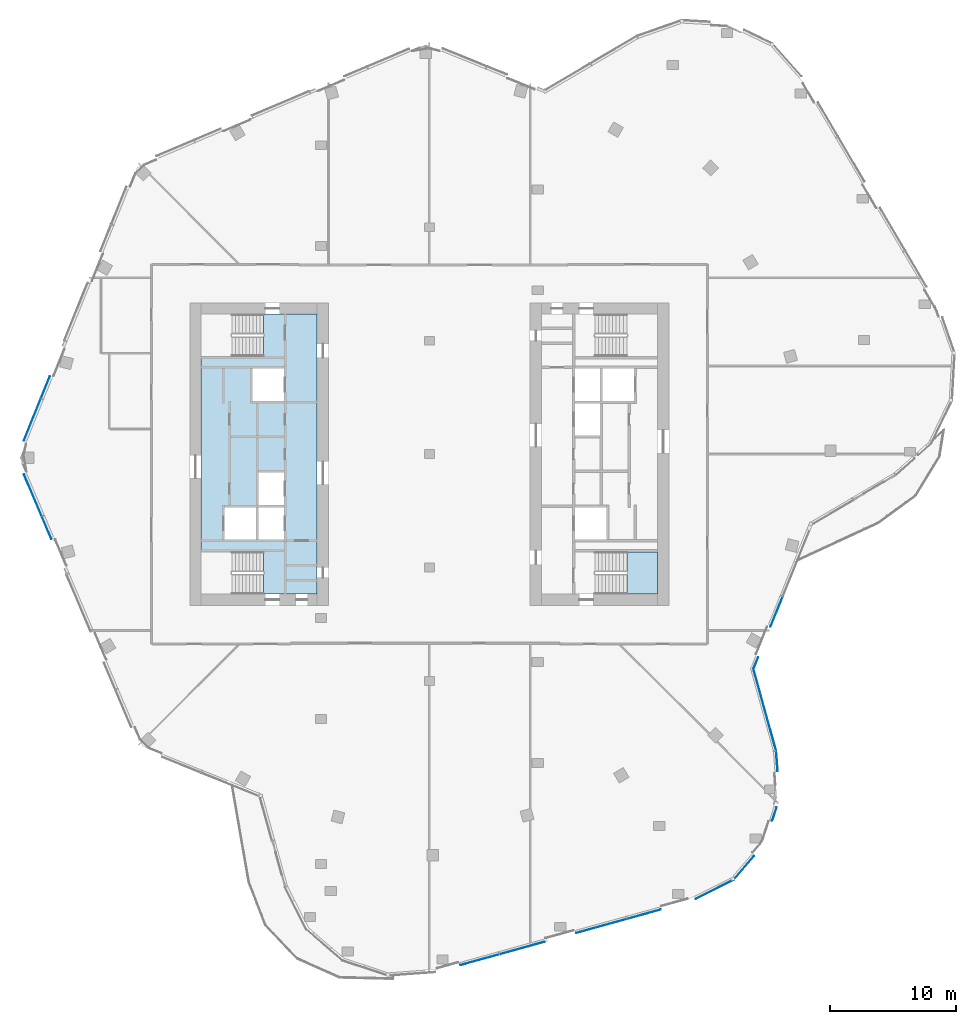
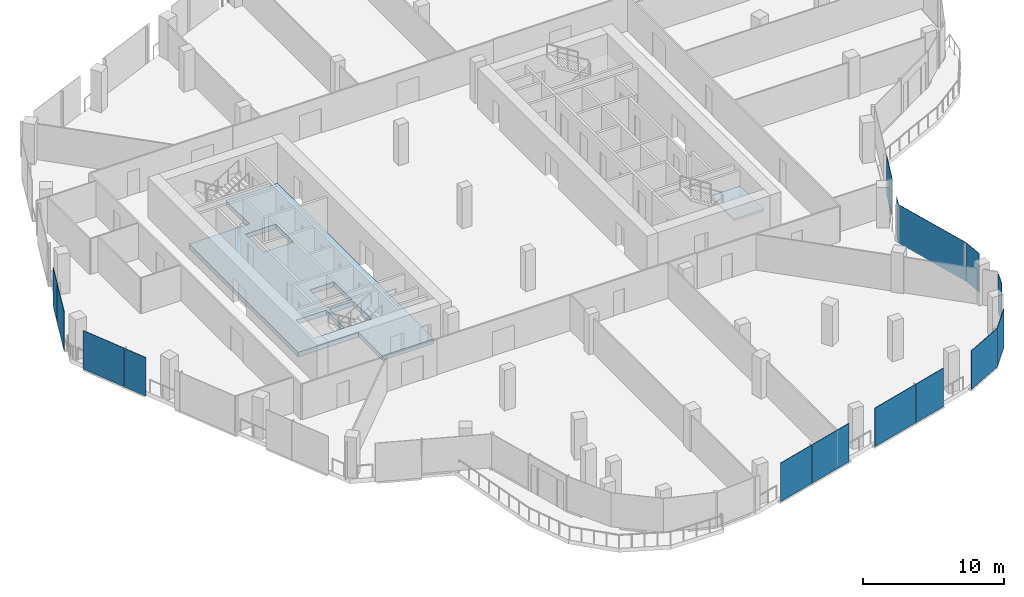
# One storey, part 13 of 26: 15 plates, 2 slabs, 10 elements without a shape of their own.
"""IFC4 building model written with IfcOpenShell, lengths in metres."""

from ifc_helpers import new_model, si_unit, direction, frame, origin, origin_2d, place, context, subcontext, project, spatial, polyline, rectangle, outline, extrude, material, layer, layer_set, type_object, element, aggregate, save


model = new_model("IFC4")

# Units and contexts
model_context = context("Model", 3, precision=1e-05, world=origin(), true_north=direction((0.0, 1.0)))
body_context = subcontext(model_context, "Body", "Model", "MODEL_VIEW")
ifc_project = project(units=[si_unit("LENGTHUNIT", "METRE"), si_unit("AREAUNIT", "SQUARE_METRE"), si_unit("VOLUMEUNIT", "CUBIC_METRE"), si_unit("PLANEANGLEUNIT", "RADIAN"), si_unit("MASSUNIT", "GRAM", prefix="KILO")], contexts=[model_context])

# Site, building, storey
site_placement = place(None, origin())
site = spatial("IfcSite", under=ifc_project, at=site_placement, CompositionType="ELEMENT")
building_placement = place(site_placement, origin())
building = spatial("IfcBuilding", under=site, at=building_placement, Name="Orlundy Tower", CompositionType="ELEMENT")
storey_placement = place(building_placement, frame((0.0, 0.0, 275.39990234375)))
storey = spatial("IfcBuildingStorey", under=building, at=storey_placement, Name="L73", CompositionType="ELEMENT", Elevation=275.39990234375)

# Curtain wall, plates
ifc_material_1 = material(Name="Aluminium bronze anodised", Category="aluminium")
curtain_wall_type = type_object("IfcCurtainWallType", Name="CW6 wall", PredefinedType="NOTDEFINED", material=ifc_material_1)
curtain_wall_1_placement = place(storey_placement, origin())
curtain_wall_1 = element("IfcCurtainWall", 1, at=curtain_wall_1_placement, inside=storey, type_object=curtain_wall_type, Name="CW6 run 01", PredefinedType="NOTDEFINED")
ifc_material_2 = material(Name="Tinted glass", Category="glass")
ifc_layer_1 = layer(ifc_material_2, 0.035888671875)
ifc_layer_set_1 = layer_set([ifc_layer_1], Name="CW6 glass panel 36")
plate_type = type_object("IfcPlateType", Name="CW6 glass panel 36", PredefinedType="CURTAIN_PANEL", material=ifc_layer_set_1)
plate_1_placement = place(storey_placement, frame((27.538330078125, -12.51708984375, -0.23974609375), z_axis=(0.0, 0.0, 1.0), x_axis=(-0.37457825326, -0.927195304229, 0.0)))
plate_1 = element("IfcPlate", 2, at=plate_1_placement, type_object=plate_type, Name="CW6 panel", PredefinedType="CURTAIN_PANEL", context=body_context, shape_type="SweptSolid", body=[
    extrude(rectangle(XDim=2.52880859375, YDim=0.035888671875, at=origin_2d()), origin(), (0.0, 0.0, 1.0), 3.340087890625),
])
plate_2_placement = place(storey_placement, frame((25.900390625, -16.571533203125, -0.23974609375), z_axis=(0.0, 0.0, 1.0), x_axis=(-0.37457825326, -0.927195304229, 0.0)))
plate_2 = element("IfcPlate", 3, at=plate_2_placement, type_object=plate_type, Name="CW6 panel", PredefinedType="CURTAIN_PANEL", context=body_context, shape_type="SweptSolid", body=[
    extrude(rectangle(XDim=1.01123046875, YDim=0.035888671875, at=origin_2d()), origin(), (0.0, 0.0, 1.0), 3.340087890625),
])
aggregate(curtain_wall_1, [plate_1, plate_2])

# Curtain wall, plate
curtain_wall_2_placement = place(storey_placement, origin())
curtain_wall_2 = element("IfcCurtainWall", 4, at=curtain_wall_2_placement, inside=storey, type_object=curtain_wall_type, Name="CW6 run 02", PredefinedType="NOTDEFINED")
plate_3_placement = place(storey_placement, frame((26.607177734375, -20.27099609375, -0.23974609375), z_axis=(0.0, 0.0, 1.0), x_axis=(0.26725609635, -0.963625538767, 0.0)))
plate_3 = element("IfcPlate", 5, at=plate_3_placement, type_object=plate_type, Name="CW6 panel", PredefinedType="CURTAIN_PANEL", context=body_context, shape_type="SweptSolid", body=[
    extrude(rectangle(XDim=6.705078125, YDim=0.035888671875, at=origin_2d()), origin(), (0.0, 0.0, 1.0), 3.340087890625),
])
aggregate(curtain_wall_2, [plate_3])

curtain_wall_3_placement = place(storey_placement, origin())
curtain_wall_3 = element("IfcCurtainWall", 6, at=curtain_wall_3_placement, inside=storey, type_object=curtain_wall_type, Name="CW6 run 03", PredefinedType="NOTDEFINED")
plate_4_placement = place(storey_placement, frame((27.57177734375, -24.361572265625, -0.23974609375), z_axis=(0.0, 0.0, 1.0), x_axis=(0.073911430304, -0.997264809602, 0.0)))
plate_4 = element("IfcPlate", 7, at=plate_4_placement, type_object=plate_type, Name="CW6 panel", PredefinedType="CURTAIN_PANEL", context=body_context, shape_type="SweptSolid", body=[
    extrude(rectangle(XDim=1.6259765625, YDim=0.035888671875, at=origin_2d()), origin(), (0.0, 0.0, 1.0), 3.340087890625),
])
aggregate(curtain_wall_3, [plate_4])

curtain_wall_4_placement = place(storey_placement, origin())
curtain_wall_4 = element("IfcCurtainWall", 8, at=curtain_wall_4_placement, inside=storey, type_object=curtain_wall_type, Name="CW6 run 04", PredefinedType="NOTDEFINED")
plate_5_placement = place(storey_placement, frame((27.373291015625, -28.548828125, -0.23974609375), z_axis=(0.0, 0.0, 1.0), x_axis=(-0.312988116173, -0.949757042161, 0.0)))
plate_5 = element("IfcPlate", 9, at=plate_5_placement, type_object=plate_type, Name="CW6 panel", PredefinedType="CURTAIN_PANEL", context=body_context, shape_type="SweptSolid", body=[
    extrude(rectangle(XDim=1.143798828125, YDim=0.035888671875, at=origin_2d()), origin(), (0.0, 0.0, 1.0), 3.340087890625),
])
aggregate(curtain_wall_4, [plate_5])

curtain_wall_5_placement = place(storey_placement, origin())
curtain_wall_5 = element("IfcCurtainWall", 10, at=curtain_wall_5_placement, inside=storey, type_object=curtain_wall_type, Name="CW6 run 05", PredefinedType="NOTDEFINED")
plate_6_placement = place(storey_placement, frame((24.9375, -32.82275390625, -0.23974609375), z_axis=(0.0, 0.0, 1.0), x_axis=(-0.652832887024, -0.757501961463, 0.0)))
plate_6 = element("IfcPlate", 11, at=plate_6_placement, type_object=plate_type, Name="CW6 panel", PredefinedType="CURTAIN_PANEL", context=body_context, shape_type="SweptSolid", body=[
    extrude(rectangle(XDim=2.493896484375, YDim=0.035888671875, at=origin_2d()), origin(), (0.0, 0.0, 1.0), 3.340087890625),
])
aggregate(curtain_wall_5, [plate_6])

curtain_wall_6_placement = place(storey_placement, origin())
curtain_wall_6 = element("IfcCurtainWall", 12, at=curtain_wall_6_placement, inside=storey, type_object=curtain_wall_type, Name="CW6 run 06", PredefinedType="NOTDEFINED")
plate_7_placement = place(storey_placement, frame((22.62744140625, -34.521240234375, -0.23974609375), z_axis=(0.0, 0.0, 1.0), x_axis=(-0.893019858419, -0.450017257968, 0.0)))
plate_7 = element("IfcPlate", 13, at=plate_7_placement, type_object=plate_type, Name="CW6 panel", PredefinedType="CURTAIN_PANEL", context=body_context, shape_type="SweptSolid", body=[
    extrude(rectangle(XDim=3.35009765625, YDim=0.035888671875, at=origin_2d()), origin(), (0.0, 0.0, 1.0), 3.340087890625),
])
aggregate(curtain_wall_6, [plate_7])

# Curtain wall, plates
curtain_wall_7_placement = place(storey_placement, origin())
curtain_wall_7 = element("IfcCurtainWall", 14, at=curtain_wall_7_placement, inside=storey, type_object=curtain_wall_type, Name="CW6 run 07", PredefinedType="NOTDEFINED")
plate_8_placement = place(storey_placement, frame((17.0263671875, -36.4990234375, -0.23974609375), z_axis=(0.0, 0.0, 1.0), x_axis=(-0.963629710974, -0.267241052476, 0.0)))
plate_8 = element("IfcPlate", 15, at=plate_8_placement, type_object=plate_type, Name="CW6 panel", PredefinedType="CURTAIN_PANEL", context=body_context, shape_type="SweptSolid", body=[
    extrude(rectangle(XDim=2.756103515625, YDim=0.035888671875, at=origin_2d()), origin(), (0.0, 0.0, 1.0), 3.340087890625),
])
plate_9_placement = place(storey_placement, frame((13.655029296875, -37.433837890625, -0.23974609375), z_axis=(0.0, 0.0, 1.0), x_axis=(-0.963629710974, -0.267241052476, 0.0)))
plate_9 = element("IfcPlate", 16, at=plate_9_placement, type_object=plate_type, Name="CW6 panel", PredefinedType="CURTAIN_PANEL", context=body_context, shape_type="SweptSolid", body=[
    extrude(rectangle(XDim=4.14111328125, YDim=0.035888671875, at=origin_2d()), origin(), (0.0, 0.0, 1.0), 3.340087890625),
])
plate_10_placement = place(storey_placement, frame((7.3564453125, -39.1806640625, -0.23974609375), z_axis=(0.0, 0.0, 1.0), x_axis=(-0.963629710974, -0.267241052476, 0.0)))
plate_10 = element("IfcPlate", 17, at=plate_10_placement, type_object=plate_type, Name="CW6 panel", PredefinedType="CURTAIN_PANEL", context=body_context, shape_type="SweptSolid", body=[
    extrude(rectangle(XDim=3.68603515625, YDim=0.035888671875, at=origin_2d()), origin(), (0.0, 0.0, 1.0), 3.340087890625),
])
plate_11_placement = place(storey_placement, frame((4.001220703125, -40.111083984375, -0.23974609375), z_axis=(0.0, 0.0, 1.0), x_axis=(-0.963629710974, -0.267241052476, 0.0)))
plate_11 = element("IfcPlate", 18, at=plate_11_placement, type_object=plate_type, Name="CW6 panel", PredefinedType="CURTAIN_PANEL", context=body_context, shape_type="SweptSolid", body=[
    extrude(rectangle(XDim=3.177490234375, YDim=0.035888671875, at=origin_2d()), origin(), (0.0, 0.0, 1.0), 3.340087890625),
])
aggregate(curtain_wall_7, [plate_8, plate_9, plate_10, plate_11])

curtain_wall_8_placement = place(storey_placement, origin())
curtain_wall_8 = element("IfcCurtainWall", 19, at=curtain_wall_8_placement, inside=storey, type_object=curtain_wall_type, Name="CW6 run 014", PredefinedType="NOTDEFINED")
plate_12_placement = place(storey_placement, frame((-30.34912109375, -5.85009765625, -0.23974609375), z_axis=(0.0, 0.0, 1.0), x_axis=(-0.390726531244, 0.920506804854, 0.0)))
plate_12 = element("IfcPlate", 20, at=plate_12_placement, type_object=plate_type, Name="CW6 panel", PredefinedType="CURTAIN_PANEL", context=body_context, shape_type="SweptSolid", body=[
    extrude(rectangle(XDim=1.916015625, YDim=0.035888671875, at=origin_2d()), origin(), (0.0, 0.0, 1.0), 3.340087890625),
])
plate_13_placement = place(storey_placement, frame((-31.444580078125, -3.26904296875, -0.23974609375), z_axis=(0.0, 0.0, 1.0), x_axis=(-0.390726531244, 0.920506804854, 0.0)))
plate_13 = element("IfcPlate", 21, at=plate_13_placement, type_object=plate_type, Name="CW6 panel", PredefinedType="CURTAIN_PANEL", context=body_context, shape_type="SweptSolid", body=[
    extrude(rectangle(XDim=3.592041015625, YDim=0.035888671875, at=origin_2d()), origin(), (0.0, 0.0, 1.0), 3.340087890625),
])
aggregate(curtain_wall_8, [plate_12, plate_13])

curtain_wall_9_placement = place(storey_placement, origin())
curtain_wall_9 = element("IfcCurtainWall", 22, at=curtain_wall_9_placement, inside=storey, type_object=curtain_wall_type, Name="CW6 run 015", PredefinedType="NOTDEFINED")
plate_14_placement = place(storey_placement, frame((-31.49609375, 2.72265625, -0.23974609375), z_axis=(0.0, 0.0, 1.0), x_axis=(0.374607412456, 0.927183523653, 0.0)))
plate_14 = element("IfcPlate", 23, at=plate_14_placement, type_object=plate_type, Name="CW6 panel", PredefinedType="CURTAIN_PANEL", context=body_context, shape_type="SweptSolid", body=[
    extrude(rectangle(XDim=3.5869140625, YDim=0.035888671875, at=origin_2d()), origin(), (0.0, 0.0, 1.0), 3.340087890625),
])
plate_15_placement = place(storey_placement, frame((-30.45556640625, 5.2978515625, -0.23974609375), z_axis=(0.0, 0.0, 1.0), x_axis=(0.374607412456, 0.927183523653, 0.0)))
plate_15 = element("IfcPlate", 24, at=plate_15_placement, type_object=plate_type, Name="CW6 panel", PredefinedType="CURTAIN_PANEL", context=body_context, shape_type="SweptSolid", body=[
    extrude(rectangle(XDim=1.867919921875, YDim=0.035888671875, at=origin_2d()), origin(), (0.0, 0.0, 1.0), 3.340087890625),
])
aggregate(curtain_wall_9, [plate_14, plate_15])

# Slab
ifc_material_3 = material(Name="Concrete C50/60", Category="concrete")
ifc_layer_2 = layer(ifc_material_3, 0.409912109375)
ifc_layer_set_2 = layer_set([ifc_layer_2], Name="Core Floor Slab 410")
slab_type_1 = type_object("IfcSlabType", Name="Core Floor Slab 410", PredefinedType="FLOOR", material=ifc_layer_set_2)
slab_1_placement = place(storey_placement, frame((0.0, 0.0, -0.409912109375)))
element("IfcSlab", 25, at=slab_1_placement, inside=storey, type_object=slab_type_1, Name="Core floor W55", PredefinedType="FLOOR", context=body_context, shape_type="SweptSolid", body=[
    extrude(outline(polyline([(-18.10009765625, 7.75), (-13.14501953125, 7.75), (-13.14501953125, 11.10009765625), (-8.89990234375, 11.10009765625), (-8.89990234375, -11.10009765625), (-13.14501953125, -11.10009765625), (-13.14501953125, -7.75), (-18.10009765625, -7.75), (-18.10009765625, 7.75)]), holes=[polyline([(-13.5400390625, -4.22509765625), (-13.5400390625, -6.77490234375), (-11.5400390625, -6.77490234375), (-11.5400390625, -4.22509765625), (-13.5400390625, -4.22509765625)]), polyline([(-13.739990234375, -4.22509765625), (-16.239990234375, -4.22509765625), (-16.239990234375, -6.77490234375), (-13.739990234375, -6.77490234375), (-13.739990234375, -4.22509765625)]), polyline([(-11.5400390625, -4.02490234375), (-11.5400390625, -1.47509765625), (-13.5400390625, -1.47509765625), (-13.5400390625, -4.02490234375), (-11.5400390625, -4.02490234375)]), polyline([(-14.0400390625, 4.22509765625), (-11.5400390625, 4.22509765625), (-11.5400390625, 6.77490234375), (-14.0400390625, 6.77490234375), (-14.0400390625, 4.22509765625)])]), origin(), (0.0, 0.0, 1.0), 0.409912109375),
])

# Stair, slab
ifc_material_4 = material(Name="Concrete C50/60", Category="concrete")
stair_type = type_object("IfcStairType", Name="Exit Stair 20 risers", PredefinedType="HALF_TURN_STAIR", material=ifc_material_4)
stair_placement = place(storey_placement, origin())
stair = element("IfcStair", 26, at=stair_placement, inside=storey, type_object=stair_type, Name="L73 Exit Stair ST-E1", PredefinedType="HALF_TURN_STAIR")
ifc_material_5 = material(Name="Concrete C50/60", Category="concrete")
ifc_layer_3 = layer(ifc_material_5, 0.199951171875)
ifc_layer_set_3 = layer_set([ifc_layer_3], Name="Exit Stair Landing")
slab_type_2 = type_object("IfcSlabType", Name="Exit Stair Landing", PredefinedType="LANDING", material=ifc_layer_set_3)
slab_2_placement = place(storey_placement, frame((0.0, 0.0, 1.550048828125)))
slab_2 = element("IfcSlab", 27, at=slab_2_placement, type_object=slab_type_2, Name="ST-E1 landing 1", PredefinedType="LANDING", context=body_context, shape_type="SweptSolid", body=[
    extrude(outline(polyline([(15.659912109375, -11.10009765625), (18.10009765625, -11.10009765625), (18.10009765625, -7.75), (15.659912109375, -7.75), (15.659912109375, -11.10009765625)])), origin(), (0.0, 0.0, 1.0), 0.199951171875),
])
aggregate(stair, [slab_2])

save(model, "model.ifc")
